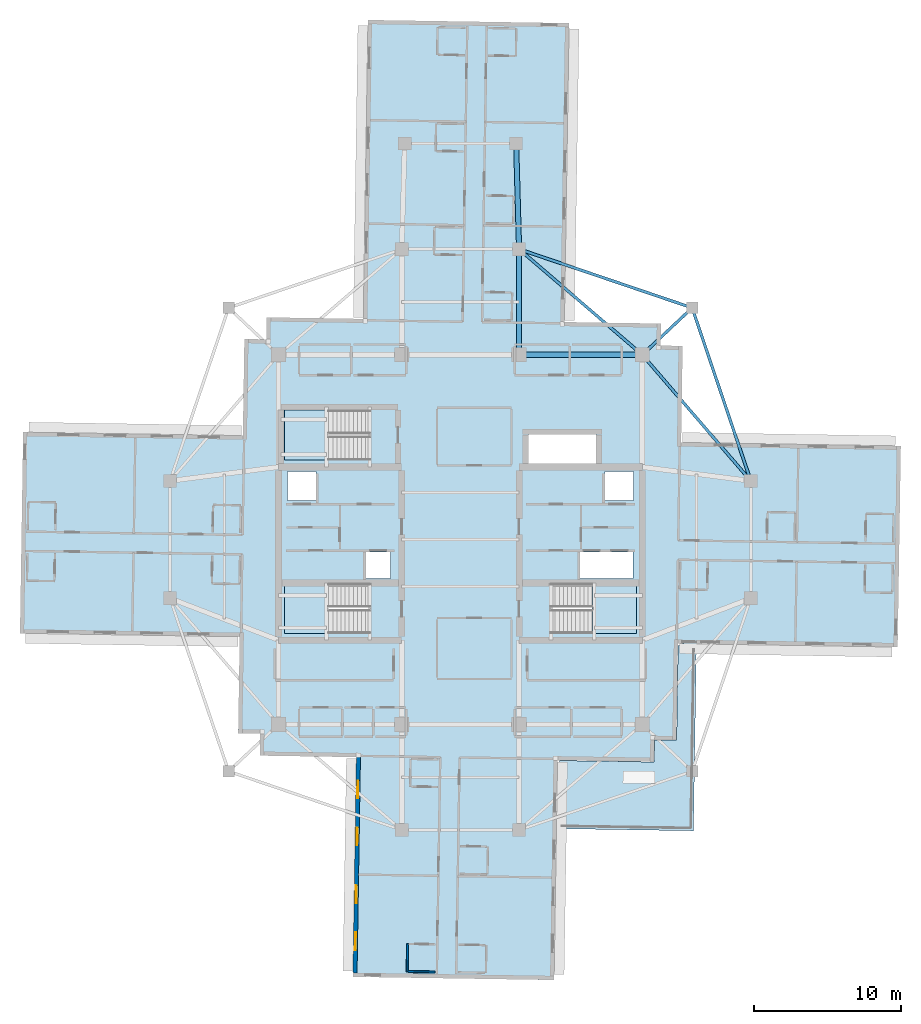
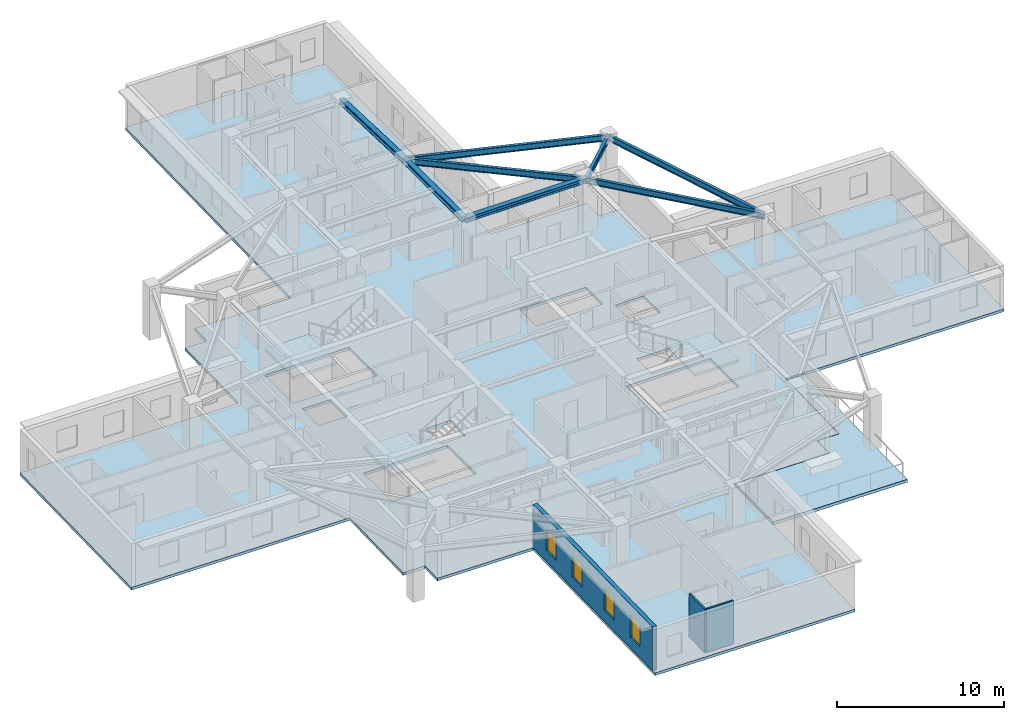
# One storey, part 2 of 13: 8 beams, 5 slabs, 4 windows, 3 walls, 4 openings, 3 elements without a shape of their own.
"""IFC4 building model written with IfcOpenShell, lengths in metres."""

from ifc_helpers import new_model, si_unit, direction, frame, frame_2d, origin, origin_2d, place, context, subcontext, project, spatial, polyline, rectangle, i_section, outline, extrude, material, layer, layer_set, material_profile, profile_set, type_object, element, fill, aggregate, save


model = new_model("IFC4")

# Units and contexts
model_context = context("Model", 3, precision=1e-05, world=origin(), true_north=direction((0.0, 1.0)))
body_context = subcontext(model_context, "Body", "Model", "MODEL_VIEW")
ifc_project = project(units=[si_unit("LENGTHUNIT", "METRE"), si_unit("AREAUNIT", "SQUARE_METRE"), si_unit("VOLUMEUNIT", "CUBIC_METRE"), si_unit("PLANEANGLEUNIT", "RADIAN"), si_unit("MASSUNIT", "GRAM", prefix="KILO")], contexts=[model_context])

# Site, building, storey
site_placement = place(None, origin())
site = spatial("IfcSite", under=ifc_project, at=site_placement, CompositionType="ELEMENT")
building_placement = place(site_placement, origin())
building = spatial("IfcBuilding", under=site, at=building_placement, Name="Qingluan Cross Belvedere", CompositionType="ELEMENT")
storey_placement = place(building_placement, frame((0.0, 0.0, 228.60009765625)))
storey = spatial("IfcBuildingStorey", under=building, at=storey_placement, Name="L57", CompositionType="ELEMENT", Elevation=228.60009765625)

# Beams
ifc_material_1 = material(Name="Steel Q420GJB", Category="steel")
ifc_material_profile_1 = material_profile(ifc_material_1, i_section(OverallWidth=0.199951171875, OverallDepth=0.449951171875, WebThickness=0.009033203125, FlangeThickness=0.013916015625, FilletRadius=0.01611328125, at=origin_2d()), Name="HN450x200x9x14")
ifc_profile_set_1 = profile_set([ifc_material_profile_1], Name="Steel Q420GJB")
beam_type_1 = type_object("IfcBeamType", Name="Steel_Beam_HN450x200x9x14", PredefinedType="JOIST", material=ifc_profile_set_1)
beam_1_placement = place(storey_placement, frame((12.39990234375, 12.60009765625, 3.454833984375), z_axis=(0.728219948308, 0.685343495546, 0.0), x_axis=(-0.685343495546, 0.728219948308, 0.0)))
element("IfcBeam", 1, at=beam_1_placement, inside=storey, type_object=beam_type_1, Name="Corner beam 1 L57-RNE", PredefinedType="JOIST", context=body_context, shape_type="SweptSolid", body=[
    extrude(i_section(OverallWidth=0.199951171875, OverallDepth=0.449951171875, WebThickness=0.009033203125, FlangeThickness=0.013916015625, FilletRadius=0.01611328125, at=origin_2d()), origin(), (0.0, 0.0, 1.0), 4.669189453125),
])
for number, where, z_axis, x_axis, name in (
    (2, (15.800048828125, 15.800048828125, 3.454833984375), (-0.947066283324, 0.321038089628, 0.0), (-0.321038089628, -0.947066283324, 0.0), "Corner beam 2 L57-RNE"),
    (3, (15.800048828125, 15.800048828125, 3.454833984375), (0.321038089628, -0.947066283324, 0.0), (0.947066283324, 0.321038089628, 0.0), "Corner beam 3 L57-RNE"),
):
    element("IfcBeam", number, at=place(storey_placement, frame(where, z_axis=z_axis, x_axis=x_axis)), inside=storey, type_object=beam_type_1, Name=name, PredefinedType="JOIST", context=body_context, shape_type="SweptSolid", body=[
        extrude(i_section(OverallWidth=0.199951171875, OverallDepth=0.449951171875, WebThickness=0.009033203125, FlangeThickness=0.013916015625, FilletRadius=0.01611328125, at=origin_2d()), origin(), (0.0, 0.0, 1.0), 12.45947265625),
    ])
beam_2_placement = place(storey_placement, frame((12.39990234375, 12.60009765625, 3.454833984375), z_axis=(0.652245077546, -0.75800815221, 0.0), x_axis=(0.75800815221, 0.652245077546, 0.0)))
element("IfcBeam", 4, at=beam_2_placement, inside=storey, type_object=beam_type_1, Name="Corner beam 4 L57-RNE", PredefinedType="JOIST", context=body_context, shape_type="SweptSolid", body=[
    extrude(i_section(OverallWidth=0.199951171875, OverallDepth=0.449951171875, WebThickness=0.009033203125, FlangeThickness=0.013916015625, FilletRadius=0.01611328125, at=origin_2d()), origin(), (0.0, 0.0, 1.0), 11.345703125),
])
beam_3_placement = place(storey_placement, frame((12.39990234375, 12.60009765625, 3.454833984375), z_axis=(-0.759255044656, 0.650793190779, 0.0), x_axis=(-0.650793190779, -0.759255044656, 0.0)))
element("IfcBeam", 5, at=beam_3_placement, inside=storey, type_object=beam_type_1, Name="Corner beam 5 L57-RNE", PredefinedType="JOIST", context=body_context, shape_type="SweptSolid", body=[
    extrude(i_section(OverallWidth=0.199951171875, OverallDepth=0.449951171875, WebThickness=0.009033203125, FlangeThickness=0.013916015625, FilletRadius=0.01611328125, at=origin_2d()), origin(), (0.0, 0.0, 1.0), 11.063232421875),
])
ifc_material_2 = material(Name="Steel Q420GJB", Category="steel")
ifc_material_profile_2 = material_profile(ifc_material_2, i_section(OverallWidth=0.35009765625, OverallDepth=0.35009765625, WebThickness=0.011962890625, FlangeThickness=0.01904296875, FilletRadius=0.02001953125, at=origin_2d()), Name="HW350x350x12x19")
ifc_profile_set_2 = profile_set([ifc_material_profile_2], Name="Steel Q420GJB")
beam_type_2 = type_object("IfcBeamType", Name="Steel_Girder_HW350x350x12x19", PredefinedType="USERDEFINED", material=ifc_profile_set_2)
beam_4_placement = place(storey_placement, frame((4.0, 12.60009765625, 3.52490234375), z_axis=(1.0, 0.0, 0.0), x_axis=(0.0, 1.0, 0.0)))
element("IfcBeam", 6, at=beam_4_placement, inside=storey, type_object=beam_type_2, Name="Hub girder L57-HG-N3", ObjectType="GIRDER", PredefinedType="USERDEFINED", context=body_context, shape_type="SweptSolid", body=[
    extrude(i_section(OverallWidth=0.35009765625, OverallDepth=0.35009765625, WebThickness=0.011962890625, FlangeThickness=0.01904296875, FilletRadius=0.02001953125, at=origin_2d()), origin(), (0.0, 0.0, 1.0), 8.39990234375),
])
beam_5_placement = place(storey_placement, frame((4.0, 12.60009765625, 3.52490234375), z_axis=(0.0, 1.0, 0.0), x_axis=(-1.0, 0.0, 0.0)))
element("IfcBeam", 7, at=beam_5_placement, inside=storey, type_object=beam_type_2, Name="Arm N radial girder B L57", ObjectType="GIRDER", PredefinedType="USERDEFINED", context=body_context, shape_type="SweptSolid", body=[
    extrude(i_section(OverallWidth=0.35009765625, OverallDepth=0.35009765625, WebThickness=0.011962890625, FlangeThickness=0.01904296875, FilletRadius=0.02001953125, at=origin_2d()), origin(), (0.0, 0.0, 1.0), 7.199951171875),
])
beam_6_placement = place(storey_placement, frame((4.0, 19.800048828125, 3.52490234375), z_axis=(-0.027760481514, 0.999614603568, 0.0), x_axis=(-0.999614603568, -0.027760481514, 0.0)))
element("IfcBeam", 8, at=beam_6_placement, inside=storey, type_object=beam_type_2, Name="Arm N outer radial girder B L57", ObjectType="GIRDER", PredefinedType="USERDEFINED", context=body_context, shape_type="SweptSolid", body=[
    extrude(i_section(OverallWidth=0.35009765625, OverallDepth=0.35009765625, WebThickness=0.011962890625, FlangeThickness=0.01904296875, FilletRadius=0.02001953125, at=origin_2d()), origin(), (0.0, 0.0, 1.0), 7.20263671875),
])

# Slab
ifc_material_3 = material(Name="Concrete C40", Category="concrete")
ifc_layer_1 = layer(ifc_material_3, 0.199951171875, Name="FloorSlab_200")
ifc_layer_set_1 = layer_set([ifc_layer_1], Name="Concrete C40")
slab_type_1 = type_object("IfcSlabType", Name="FloorSlab_200", PredefinedType="FLOOR", material=ifc_layer_set_1)
slab_1_placement = place(storey_placement, frame((0.0, 0.0, -0.2001953125)))
element("IfcSlab", 9, at=slab_1_placement, inside=storey, type_object=slab_type_1, Name="Structural floor slab L57", PredefinedType="FLOOR", context=body_context, shape_type="SweptSolid", body=[
    extrude(outline(polyline([(6.38916015625, -30.024169921875), (6.62451171875, -15.0458984375), (13.20361328125, -15.1494140625), (13.227294921875, -13.6494140625), (14.72705078125, -13.673095703125), (14.830322265625, -7.09375), (29.80859375, -7.3291015625), (30.024169921875, 6.38916015625), (15.0458984375, 6.62451171875), (15.1494140625, 13.20361328125), (13.6494140625, 13.227294921875), (13.673095703125, 14.72705078125), (7.09375, 14.830322265625), (7.413818359375, 35.2080078125), (-6.304443359375, 35.42333984375), (-6.62451171875, 15.0458984375), (-13.20361328125, 15.1494140625), (-13.227294921875, 13.6494140625), (-14.72705078125, 13.673095703125), (-14.830322265625, 7.09375), (-29.80859375, 7.3291015625), (-30.024169921875, -6.38916015625), (-15.0458984375, -6.62451171875), (-15.1494140625, -13.20361328125), (-13.6494140625, -13.227294921875), (-13.673095703125, -14.72705078125), (-7.09375, -14.830322265625), (-7.3291015625, -29.80859375), (6.38916015625, -30.024169921875)]), holes=[polyline([(-12.0, -3.0), (-6.179931640625, -3.0), (-6.179931640625, -6.39990234375), (-12.0, -6.39990234375), (-12.0, -3.0)]), polyline([(6.179931640625, -3.0), (12.0, -3.0), (12.0, -6.39990234375), (6.179931640625, -6.39990234375), (6.179931640625, -3.0)]), polyline([(-12.0, 8.820068359375), (-6.179931640625, 8.820068359375), (-6.179931640625, 5.419921875), (-12.0, 5.419921875), (-12.0, 8.820068359375)]), polyline([(-11.800048828125, 4.64990234375), (-9.85009765625, 4.64990234375), (-9.85009765625, 2.64990234375), (-11.800048828125, 2.64990234375), (-11.800048828125, 4.64990234375)]), polyline([(9.85009765625, 4.64990234375), (11.800048828125, 4.64990234375), (11.800048828125, 2.64990234375), (9.85009765625, 2.64990234375), (9.85009765625, 4.64990234375)]), polyline([(-6.449951171875, -0.840087890625), (-4.75, -0.840087890625), (-4.75, -2.659912109375), (-6.449951171875, -2.659912109375), (-6.449951171875, -0.840087890625)]), polyline([(8.14990234375, -0.840087890625), (11.75, -0.840087890625), (11.75, -2.659912109375), (8.14990234375, -2.659912109375), (8.14990234375, -0.840087890625)]), polyline([(4.64990234375, 7.14990234375), (9.25, 7.14990234375), (9.25, 5.14990234375), (4.64990234375, 5.14990234375), (4.64990234375, 7.14990234375)])]), origin(), (0.0, 0.0, 1.0), 0.2001953125),
])

# Stair, slab
ifc_material_4 = material(Name="Concrete C40", Category="concrete")
stair_type = type_object("IfcStairType", Name="CoreDoglegStair_1620", PredefinedType="HALF_TURN_STAIR", material=ifc_material_4)
stair_1_placement = place(storey_placement, origin())
stair_1 = element("IfcStair", 10, at=stair_1_placement, inside=storey, type_object=stair_type, Name="L57 ST1", PredefinedType="HALF_TURN_STAIR")
ifc_material_5 = material(Name="Concrete C40", Category="concrete")
ifc_layer_2 = layer(ifc_material_5, 0.179931640625, Name="StairLandingSlab_180")
ifc_layer_set_2 = layer_set([ifc_layer_2], Name="Concrete C40")
slab_type_2 = type_object("IfcSlabType", Name="StairLandingSlab_180", PredefinedType="LANDING", material=ifc_layer_set_2)
slab_2_placement = place(storey_placement, frame((0.0, 0.0, 1.75)))
slab_2 = element("IfcSlab", 11, at=slab_2_placement, type_object=slab_type_2, Name="ST1 landing 1", PredefinedType="LANDING", context=body_context, shape_type="SweptSolid", body=[
    extrude(outline(polyline([(-8.97998046875, -3.0), (-12.0, -3.0), (-12.0, -6.39990234375), (-8.97998046875, -6.39990234375), (-8.97998046875, -3.0)])), origin(), (0.0, 0.0, 1.0), 0.199951171875),
])
aggregate(stair_1, [slab_2])

stair_2_placement = place(storey_placement, origin())
stair_2 = element("IfcStair", 12, at=stair_2_placement, inside=storey, type_object=stair_type, Name="L57 ST2", PredefinedType="HALF_TURN_STAIR")
slab_3_placement = place(storey_placement, frame((0.0, 0.0, 1.75)))
slab_3 = element("IfcSlab", 13, at=slab_3_placement, type_object=slab_type_2, Name="ST2 landing 1", PredefinedType="LANDING", context=body_context, shape_type="SweptSolid", body=[
    extrude(outline(polyline([(8.97998046875, -6.39990234375), (12.0, -6.39990234375), (12.0, -3.0), (8.97998046875, -3.0), (8.97998046875, -6.39990234375)])), origin(), (0.0, 0.0, 1.0), 0.199951171875),
])
aggregate(stair_2, [slab_3])

stair_3_placement = place(storey_placement, origin())
stair_3 = element("IfcStair", 14, at=stair_3_placement, inside=storey, type_object=stair_type, Name="L57 ST3", PredefinedType="HALF_TURN_STAIR")
slab_4_placement = place(storey_placement, frame((0.0, 0.0, 1.75)))
slab_4 = element("IfcSlab", 15, at=slab_4_placement, type_object=slab_type_2, Name="ST3 landing 1", PredefinedType="LANDING", context=body_context, shape_type="SweptSolid", body=[
    extrude(outline(polyline([(-8.97998046875, 8.820068359375), (-12.0, 8.820068359375), (-12.0, 5.419921875), (-8.97998046875, 5.419921875), (-8.97998046875, 8.820068359375)])), origin(), (0.0, 0.0, 1.0), 0.199951171875),
])
aggregate(stair_3, [slab_4])

# Slab
ifc_material_6 = material(Name="Concrete C40", Category="concrete")
ifc_layer_3 = layer(ifc_material_6, 0.219970703125, Name="TerraceSlab_220")
ifc_layer_set_3 = layer_set([ifc_layer_3], Name="Concrete C40")
slab_type_3 = type_object("IfcSlabType", Name="TerraceSlab_220", PredefinedType="FLOOR", material=ifc_layer_set_3)
slab_5_placement = place(storey_placement, frame((0.0, 0.0, -0.22021484375)))
element("IfcSlab", 16, at=slab_5_placement, inside=storey, type_object=slab_type_3, Name="Spiralling winter-garden terrace slab L57", PredefinedType="FLOOR", context=body_context, shape_type="SweptSolid", body=[
    extrude(outline(polyline([(14.838134765625, -7.23388671875), (14.7353515625, -13.6787109375), (13.237060546875, -13.65966796875), (13.213623046875, -15.1494140625), (13.20556640625, -15.1591796875), (6.764404296875, -15.05810546875), (6.69140625, -19.70751953125), (15.89013671875, -19.85205078125), (16.088134765625, -7.253662109375), (14.838134765625, -7.23388671875)])), origin(), (0.0, 0.0, 1.0), 0.22021484375),
])

# Walls
ifc_material_7 = material(Name="Moisture-resistant gypsum board lining")
ifc_layer_4 = layer(ifc_material_7, 0.1201171875, Name="EnsuiteWetPartition_120")
ifc_layer_set_4 = layer_set([ifc_layer_4], Name="Moisture-resistant gypsum board lining")
wall_type_1 = type_object("IfcWallType", Name="EnsuiteWetPartition_120", PredefinedType="PARTITIONING", material=ifc_layer_set_4)
wall_1_placement = place(storey_placement, frame((-3.56298828125, -29.44775390625, 0.0), z_axis=(0.0, 0.0, 1.0), x_axis=(0.999876836305, -0.015694337248, 0.0)))
element("IfcWall", 17, at=wall_1_placement, inside=storey, type_object=wall_type_1, Name="Partition L57:S:bw1_1", PredefinedType="PARTITIONING", context=body_context, shape_type="SweptSolid", body=[
    extrude(rectangle(XDim=1.820068359375, YDim=0.1201171875, at=frame_2d((0.91015625, 0.0))), origin(), (0.0, 0.0, 1.0), 3.169921875),
])
wall_2_placement = place(storey_placement, frame((-3.598388671875, -27.56689453125, 0.0), z_axis=(0.0, 0.0, 1.0), x_axis=(-0.015714386166, -0.99987652141, 0.0)))
element("IfcWall", 18, at=wall_2_placement, inside=storey, type_object=wall_type_1, Name="Partition L57:S:bc1_1", PredefinedType="PARTITIONING", context=body_context, shape_type="SweptSolid", body=[
    extrude(rectangle(XDim=1.8798828125, YDim=0.1201171875, at=frame_2d((0.93994140625, 0.0))), origin(), (0.0, 0.0, 1.0), 3.169921875),
])

# Wall, openings, windows
ifc_material_8 = material(Name="Precast concrete C45", Category="concrete")
ifc_layer_5 = layer(ifc_material_8, 0.280029296875, Name="PrecastFacadeWall_280")
ifc_layer_set_5 = layer_set([ifc_layer_5], Name="Precast concrete C45")
wall_type_2 = type_object("IfcWallType", Name="PrecastFacadeWall_280", PredefinedType="STANDARD", material=ifc_layer_set_5)
wall_3_placement = place(storey_placement, frame((-6.953857421875, -14.83251953125, 0.0), z_axis=(0.0, 0.0, 1.0), x_axis=(-0.015711302158, -0.999876569875, 0.0)))
wall_3 = element("IfcWall", 19, at=wall_3_placement, inside=storey, type_object=wall_type_2, Name="Facade wall L57-SA", PredefinedType="STANDARD", context=body_context, shape_type="SweptSolid", body=[
    extrude(rectangle(XDim=14.699951171875, YDim=0.280029296875, at=frame_2d((7.35009765625, 0.0))), origin(), (0.0, 0.0, 1.0), 3.179931640625),
])
opening_1_placement = place(wall_3_placement, frame((1.60009765625, 0.0, 0.800048828125)))
opening_1 = element("IfcOpeningElement", 20, at=opening_1_placement, cuts=wall_3, Name="Opening W-02", PredefinedType="OPENING", context=body_context, shape_type="SweptSolid", body=[
    extrude(rectangle(XDim=1.199951171875, YDim=1.60009765625, at=frame_2d((0.60009765625, 0.800048828125))), frame((0.0, 0.14990234375, 0.0), z_axis=(0.0, -1.0, 0.0), x_axis=(1.0, 0.0, 0.0)), (0.0, 0.0, 1.0), 0.300048828125),
])
opening_2_placement = place(wall_3_placement, frame((4.800048828125, 0.0, 0.800048828125)))
opening_2 = element("IfcOpeningElement", 21, at=opening_2_placement, cuts=wall_3, Name="Opening W-02", PredefinedType="OPENING", context=body_context, shape_type="SweptSolid", body=[
    extrude(rectangle(XDim=1.199951171875, YDim=1.60009765625, at=frame_2d((0.60009765625, 0.800048828125))), frame((0.0, 0.14990234375, 0.0), z_axis=(0.0, -1.0, 0.0), x_axis=(1.0, 0.0, 0.0)), (0.0, 0.0, 1.0), 0.300048828125),
])
opening_3_placement = place(wall_3_placement, frame((8.75, 0.0, 0.800048828125)))
opening_3 = element("IfcOpeningElement", 22, at=opening_3_placement, cuts=wall_3, Name="Opening W-02", PredefinedType="OPENING", context=body_context, shape_type="SweptSolid", body=[
    extrude(rectangle(XDim=1.199951171875, YDim=1.60009765625, at=frame_2d((0.60009765625, 0.800048828125))), frame((0.0, 0.14990234375, 0.0), z_axis=(0.0, -1.0, 0.0), x_axis=(1.0, 0.0, 0.0)), (0.0, 0.0, 1.0), 0.300048828125),
])
opening_4_placement = place(wall_3_placement, frame((11.949951171875, 0.0, 0.800048828125)))
opening_4 = element("IfcOpeningElement", 23, at=opening_4_placement, cuts=wall_3, Name="Opening W-02", PredefinedType="OPENING", context=body_context, shape_type="SweptSolid", body=[
    extrude(rectangle(XDim=1.199951171875, YDim=1.60009765625, at=frame_2d((0.60009765625, 0.800048828125))), frame((0.0, 0.14990234375, 0.0), z_axis=(0.0, -1.0, 0.0), x_axis=(1.0, 0.0, 0.0)), (0.0, 0.0, 1.0), 0.300048828125),
])
ifc_material_9 = material(Name="Thermally broken triple Low-E glass in aluminium frame", Category="aluminium")
window_type = type_object("IfcWindowType", Name="TriRibbonWin_1200x1600", PartitioningType="SINGLE_PANEL", PredefinedType="WINDOW", material=ifc_material_9)
window_1_placement = place(opening_1_placement, origin())
window_1 = element("IfcWindow", 24, at=window_1_placement, inside=storey, type_object=window_type, Name="Ribbon window L57-SA-1", OverallHeight=1.60009765625, OverallWidth=1.199951171875, PartitioningType="SINGLE_PANEL", PredefinedType="WINDOW", context=body_context, shape_type="SweptSolid", body=[
    extrude(rectangle(XDim=1.199951171875, YDim=1.60009765625, at=frame_2d((0.60009765625, 0.800048828125))), frame((0.0, 0.030029296875, 0.0), z_axis=(0.0, -1.0, 0.0), x_axis=(1.0, 0.0, 0.0)), (0.0, 0.0, 1.0), 0.06005859375),
])
fill(opening_1, window_1)
window_2_placement = place(opening_2_placement, origin())
window_2 = element("IfcWindow", 25, at=window_2_placement, inside=storey, type_object=window_type, Name="Ribbon window L57-SA-2", OverallHeight=1.60009765625, OverallWidth=1.199951171875, PartitioningType="SINGLE_PANEL", PredefinedType="WINDOW", context=body_context, shape_type="SweptSolid", body=[
    extrude(rectangle(XDim=1.199951171875, YDim=1.60009765625, at=frame_2d((0.60009765625, 0.800048828125))), frame((0.0, 0.030029296875, 0.0), z_axis=(0.0, -1.0, 0.0), x_axis=(1.0, 0.0, 0.0)), (0.0, 0.0, 1.0), 0.06005859375),
])
fill(opening_2, window_2)
window_3_placement = place(opening_3_placement, origin())
window_3 = element("IfcWindow", 26, at=window_3_placement, inside=storey, type_object=window_type, Name="Ribbon window L57-SA-3", OverallHeight=1.60009765625, OverallWidth=1.199951171875, PartitioningType="SINGLE_PANEL", PredefinedType="WINDOW", context=body_context, shape_type="SweptSolid", body=[
    extrude(rectangle(XDim=1.199951171875, YDim=1.60009765625, at=frame_2d((0.60009765625, 0.800048828125))), frame((0.0, 0.030029296875, 0.0), z_axis=(0.0, -1.0, 0.0), x_axis=(1.0, 0.0, 0.0)), (0.0, 0.0, 1.0), 0.06005859375),
])
fill(opening_3, window_3)
window_4_placement = place(opening_4_placement, origin())
window_4 = element("IfcWindow", 27, at=window_4_placement, inside=storey, type_object=window_type, Name="Ribbon window L57-SA-4", OverallHeight=1.60009765625, OverallWidth=1.199951171875, PartitioningType="SINGLE_PANEL", PredefinedType="WINDOW", context=body_context, shape_type="SweptSolid", body=[
    extrude(rectangle(XDim=1.199951171875, YDim=1.60009765625, at=frame_2d((0.60009765625, 0.800048828125))), frame((0.0, 0.030029296875, 0.0), z_axis=(0.0, -1.0, 0.0), x_axis=(1.0, 0.0, 0.0)), (0.0, 0.0, 1.0), 0.06005859375),
])
fill(opening_4, window_4)

save(model, "model.ifc")
